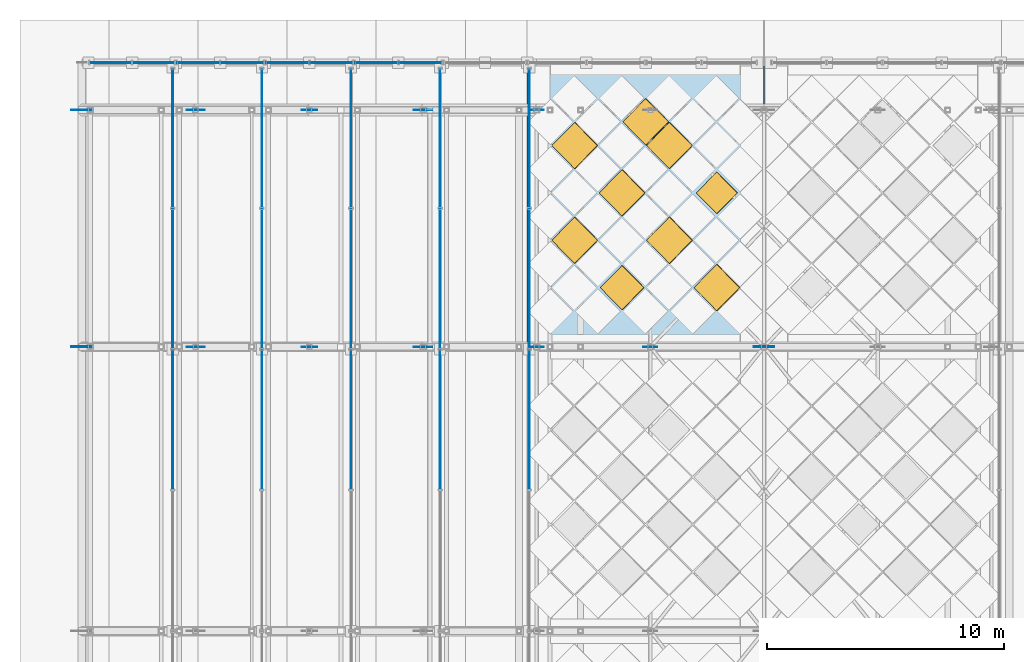
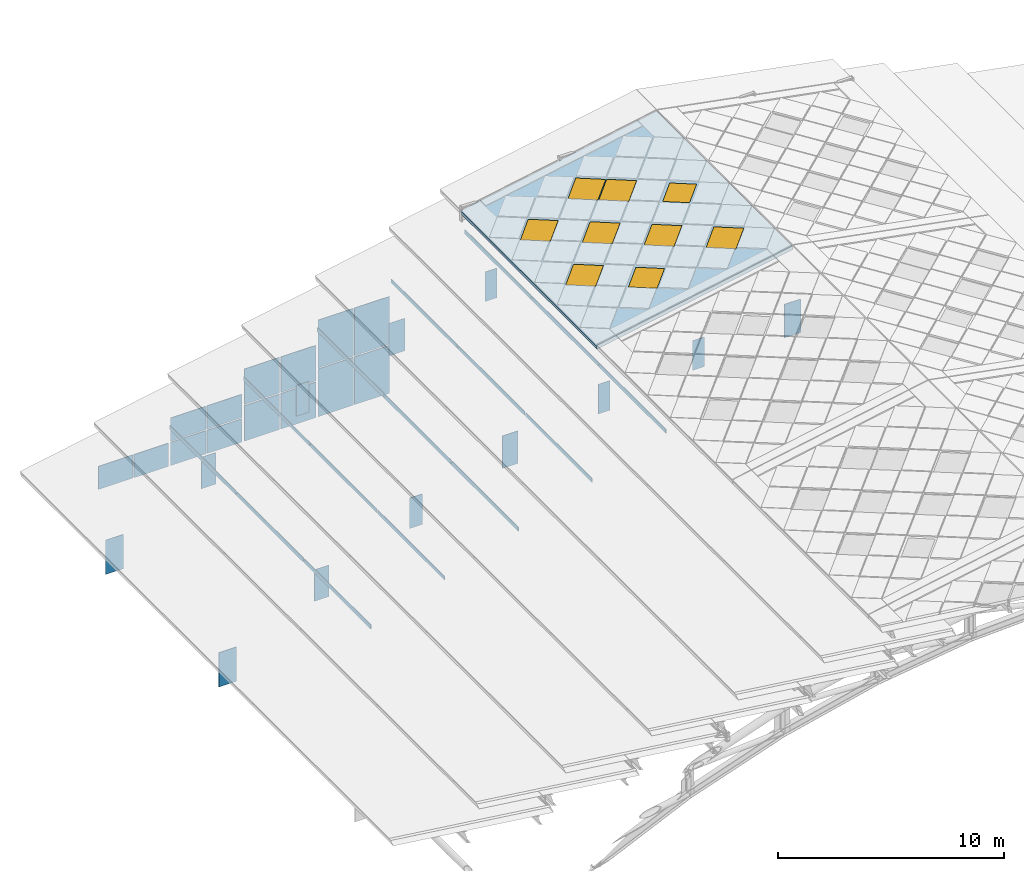
# One storey, part 97 of 117: 41 plates, 9 windows, 1 slab, 9 openings, 9 elements without a shape of their own.
"""IFC4 building model written with IfcOpenShell, lengths in metres."""

from ifc_helpers import new_model, si_unit, direction, frame, origin, origin_2d, place, context, subcontext, project, spatial, polyline, rectangle, outline, extrude, material, layer, layer_set, type_object, element, fill, aggregate, save


model = new_model("IFC4")

# Units and contexts
model_context = context("Model", 3, precision=1e-05, world=origin(), true_north=direction((0.0, 1.0)))
body_context = subcontext(model_context, "Body", "Model", "MODEL_VIEW")
ifc_project = project(units=[si_unit("LENGTHUNIT", "METRE"), si_unit("AREAUNIT", "SQUARE_METRE"), si_unit("VOLUMEUNIT", "CUBIC_METRE"), si_unit("PLANEANGLEUNIT", "RADIAN"), si_unit("MASSUNIT", "GRAM", prefix="KILO")], contexts=[model_context])

# Site, building, storey
site_placement = place(None, origin())
site = spatial("IfcSite", under=ifc_project, at=site_placement, CompositionType="ELEMENT")
building_placement = place(site_placement, origin())
building = spatial("IfcBuilding", under=site, at=building_placement, Name="Merenkruunu Market Hall", CompositionType="ELEMENT")
storey_placement = place(building_placement, frame((0.0, 0.0, 22.800048828125)))
storey = spatial("IfcBuildingStorey", under=building, at=storey_placement, Name="RF", CompositionType="ELEMENT", Elevation=22.800048828125)

# Curtain wall, plates
ifc_material_1 = material(Name="Powder-coated aluminium", Category="aluminium")
curtain_wall_type_1 = type_object("IfcCurtainWallType", Name="Clerestory Curtain Band CL03", PredefinedType="USERDEFINED", material=ifc_material_1)
curtain_wall_1_placement = place(storey_placement, origin())
curtain_wall_1 = element("IfcCurtainWall", 1, at=curtain_wall_1_placement, inside=storey, type_object=curtain_wall_type_1, Name="CW-RF-CWM03-067", ObjectType="CLERESTORY_BAND", PredefinedType="USERDEFINED")
ifc_material_2 = material(Name="Triple low-E insulated glass", Category="glass")
ifc_layer_1 = layer(ifc_material_2, 0.035888671875)
ifc_layer_set_1 = layer_set([ifc_layer_1], Name="Triple low-E insulated glass")
plate_type_1 = type_object("IfcPlateType", Name="Curtain Wall Glazing Panel CWP05", PredefinedType="CURTAIN_PANEL", material=ifc_layer_set_1)
plate_1_placement = place(storey_placement, frame((1.215087890625, 111.60009765625, -8.630126953125), z_axis=(0.0, 0.0, 1.0), x_axis=(1.0, 0.0, 0.0)))
plate_1 = element("IfcPlate", 2, at=plate_1_placement, type_object=plate_type_1, Name="CL03 panel 1.1", PredefinedType="CURTAIN_PANEL", context=body_context, shape_type="SweptSolid", body=[
    extrude(rectangle(XDim=1.75, YDim=0.035888671875, at=origin_2d()), origin(), (0.0, 0.0, 1.0), 1.25),
])
plate_2_placement = place(storey_placement, frame((3.02490234375, 111.60009765625, -8.630126953125), z_axis=(0.0, 0.0, 1.0), x_axis=(1.0, 0.0, 0.0)))
plate_2 = element("IfcPlate", 3, at=plate_2_placement, type_object=plate_type_1, Name="CL03 panel 2.1", PredefinedType="CURTAIN_PANEL", context=body_context, shape_type="SweptSolid", body=[
    extrude(rectangle(XDim=1.75, YDim=0.035888671875, at=origin_2d()), origin(), (0.0, 0.0, 1.0), 1.25),
])
aggregate(curtain_wall_1, [plate_1, plate_2])

curtain_wall_type_2 = type_object("IfcCurtainWallType", Name="Glazed Curtain Wall CW17", PredefinedType="USERDEFINED", material=ifc_material_1)
curtain_wall_2_placement = place(storey_placement, origin())
curtain_wall_2 = element("IfcCurtainWall", 4, at=curtain_wall_2_placement, inside=storey, type_object=curtain_wall_type_2, Name="CW-RF-CWM03-068", ObjectType="GLAZED_FACADE", PredefinedType="USERDEFINED")
plate_3_placement = place(storey_placement, frame((4.9150390625, 111.60009765625, -8.6298828125), z_axis=(0.0, 0.0, 1.0), x_axis=(1.0, 0.0, 0.0)))
plate_3 = element("IfcPlate", 5, at=plate_3_placement, type_object=plate_type_1, Name="CW17 panel 1.1", PredefinedType="CURTAIN_PANEL", context=body_context, shape_type="SweptSolid", body=[
    extrude(rectangle(XDim=1.7900390625, YDim=0.035888671875, at=origin_2d()), origin(), (0.0, 0.0, 1.0), 1.2548828125),
])
plate_4_placement = place(storey_placement, frame((4.9150390625, 111.60009765625, -7.31494140625), z_axis=(0.0, 0.0, 1.0), x_axis=(1.0, 0.0, 0.0)))
plate_4 = element("IfcPlate", 6, at=plate_4_placement, type_object=plate_type_1, Name="CW17 panel 1.2", PredefinedType="CURTAIN_PANEL", context=body_context, shape_type="SweptSolid", body=[
    extrude(rectangle(XDim=1.7900390625, YDim=0.035888671875, at=origin_2d()), origin(), (0.0, 0.0, 1.0), 1.2548828125),
])
plate_5_placement = place(storey_placement, frame((6.764892578125, 111.60009765625, -8.6298828125), z_axis=(0.0, 0.0, 1.0), x_axis=(1.0, 0.0, 0.0)))
plate_5 = element("IfcPlate", 7, at=plate_5_placement, type_object=plate_type_1, Name="CW17 panel 2.1", PredefinedType="CURTAIN_PANEL", context=body_context, shape_type="SweptSolid", body=[
    extrude(rectangle(XDim=1.7900390625, YDim=0.035888671875, at=origin_2d()), origin(), (0.0, 0.0, 1.0), 1.2548828125),
])
plate_6_placement = place(storey_placement, frame((6.764892578125, 111.60009765625, -7.31494140625), z_axis=(0.0, 0.0, 1.0), x_axis=(1.0, 0.0, 0.0)))
plate_6 = element("IfcPlate", 8, at=plate_6_placement, type_object=plate_type_1, Name="CW17 panel 2.2", PredefinedType="CURTAIN_PANEL", context=body_context, shape_type="SweptSolid", body=[
    extrude(rectangle(XDim=1.7900390625, YDim=0.035888671875, at=origin_2d()), origin(), (0.0, 0.0, 1.0), 1.2548828125),
])
aggregate(curtain_wall_2, [plate_3, plate_4, plate_5, plate_6])

curtain_wall_3_placement = place(storey_placement, origin())
curtain_wall_3 = element("IfcCurtainWall", 9, at=curtain_wall_3_placement, inside=storey, type_object=curtain_wall_type_2, Name="CW-RF-CWM03-069", ObjectType="GLAZED_FACADE", PredefinedType="USERDEFINED")
plate_7_placement = place(storey_placement, frame((8.675048828125, 111.60009765625, -8.630126953125), z_axis=(0.0, 0.0, 1.0), x_axis=(1.0, 0.0, 0.0)))
plate_7 = element("IfcPlate", 10, at=plate_7_placement, type_object=plate_type_1, Name="CW17 panel 1.1", PredefinedType="CURTAIN_PANEL", context=body_context, shape_type="SweptSolid", body=[
    extrude(rectangle(XDim=1.7900390625, YDim=0.035888671875, at=origin_2d()), origin(), (0.0, 0.0, 1.0), 1.9150390625),
])
plate_8_placement = place(storey_placement, frame((8.675048828125, 111.60009765625, -6.655029296875), z_axis=(0.0, 0.0, 1.0), x_axis=(1.0, 0.0, 0.0)))
plate_8 = element("IfcPlate", 11, at=plate_8_placement, type_object=plate_type_1, Name="CW17 panel 1.2", PredefinedType="CURTAIN_PANEL", context=body_context, shape_type="SweptSolid", body=[
    extrude(rectangle(XDim=1.7900390625, YDim=0.035888671875, at=origin_2d()), origin(), (0.0, 0.0, 1.0), 1.9150390625),
])
plate_9_placement = place(storey_placement, frame((10.52490234375, 111.60009765625, -8.630126953125), z_axis=(0.0, 0.0, 1.0), x_axis=(1.0, 0.0, 0.0)))
plate_9 = element("IfcPlate", 12, at=plate_9_placement, type_object=plate_type_1, Name="CW17 panel 2.1", PredefinedType="CURTAIN_PANEL", context=body_context, shape_type="SweptSolid", body=[
    extrude(rectangle(XDim=1.7900390625, YDim=0.035888671875, at=origin_2d()), origin(), (0.0, 0.0, 1.0), 1.9150390625),
])
plate_10_placement = place(storey_placement, frame((10.52490234375, 111.60009765625, -6.655029296875), z_axis=(0.0, 0.0, 1.0), x_axis=(1.0, 0.0, 0.0)))
plate_10 = element("IfcPlate", 13, at=plate_10_placement, type_object=plate_type_1, Name="CW17 panel 2.2", PredefinedType="CURTAIN_PANEL", context=body_context, shape_type="SweptSolid", body=[
    extrude(rectangle(XDim=1.7900390625, YDim=0.035888671875, at=origin_2d()), origin(), (0.0, 0.0, 1.0), 1.9150390625),
])
aggregate(curtain_wall_3, [plate_7, plate_8, plate_9, plate_10])

curtain_wall_4_placement = place(storey_placement, origin())
curtain_wall_4 = element("IfcCurtainWall", 14, at=curtain_wall_4_placement, inside=storey, type_object=curtain_wall_type_2, Name="CW-RF-CWM03-070", ObjectType="GLAZED_FACADE", PredefinedType="USERDEFINED")
plate_11_placement = place(storey_placement, frame((12.43505859375, 111.60009765625, -8.6298828125), z_axis=(0.0, 0.0, 1.0), x_axis=(1.0, 0.0, 0.0)))
plate_11 = element("IfcPlate", 15, at=plate_11_placement, type_object=plate_type_1, Name="CW17 panel 1.1", PredefinedType="CURTAIN_PANEL", context=body_context, shape_type="SweptSolid", body=[
    extrude(rectangle(XDim=1.7900390625, YDim=0.035888671875, at=origin_2d()), origin(), (0.0, 0.0, 1.0), 2.574951171875),
])
plate_12_placement = place(storey_placement, frame((12.43505859375, 111.60009765625, -5.9951171875), z_axis=(0.0, 0.0, 1.0), x_axis=(1.0, 0.0, 0.0)))
plate_12 = element("IfcPlate", 16, at=plate_12_placement, type_object=plate_type_1, Name="CW17 panel 1.2", PredefinedType="CURTAIN_PANEL", context=body_context, shape_type="SweptSolid", body=[
    extrude(rectangle(XDim=1.7900390625, YDim=0.035888671875, at=origin_2d()), origin(), (0.0, 0.0, 1.0), 2.574951171875),
])
plate_13_placement = place(storey_placement, frame((14.284912109375, 111.60009765625, -8.6298828125), z_axis=(0.0, 0.0, 1.0), x_axis=(1.0, 0.0, 0.0)))
plate_13 = element("IfcPlate", 17, at=plate_13_placement, type_object=plate_type_1, Name="CW17 panel 2.1", PredefinedType="CURTAIN_PANEL", context=body_context, shape_type="SweptSolid", body=[
    extrude(rectangle(XDim=1.7900390625, YDim=0.035888671875, at=origin_2d()), origin(), (0.0, 0.0, 1.0), 2.574951171875),
])
plate_14_placement = place(storey_placement, frame((14.284912109375, 111.60009765625, -5.9951171875), z_axis=(0.0, 0.0, 1.0), x_axis=(1.0, 0.0, 0.0)))
plate_14 = element("IfcPlate", 18, at=plate_14_placement, type_object=plate_type_1, Name="CW17 panel 2.2", PredefinedType="CURTAIN_PANEL", context=body_context, shape_type="SweptSolid", body=[
    extrude(rectangle(XDim=1.7900390625, YDim=0.035888671875, at=origin_2d()), origin(), (0.0, 0.0, 1.0), 2.574951171875),
])
aggregate(curtain_wall_4, [plate_11, plate_12, plate_13, plate_14])

curtain_wall_type_3 = type_object("IfcCurtainWallType", Name="Clerestory Curtain Band CL05", PredefinedType="USERDEFINED", material=ifc_material_1)
curtain_wall_5_placement = place(storey_placement, origin())
curtain_wall_5 = element("IfcCurtainWall", 19, at=curtain_wall_5_placement, inside=storey, type_object=curtain_wall_type_3, Name="CW-RF-CWM04-087", ObjectType="CLERESTORY_BAND", PredefinedType="USERDEFINED")
ifc_layer_2 = layer(ifc_material_2, 0.035888671875)
ifc_layer_set_2 = layer_set([ifc_layer_2], Name="Triple low-E insulated glass")
plate_type_2 = type_object("IfcPlateType", Name="Curtain Wall Glazing Panel CWP08", PredefinedType="CURTAIN_PANEL", material=ifc_layer_set_2)
plate_15_placement = place(storey_placement, frame((3.840087890625, 96.52490234375, -6.462158203125), z_axis=(0.0, 0.0, 1.0), x_axis=(0.0, 1.0, 0.0)))
plate_15 = element("IfcPlate", 20, at=plate_15_placement, type_object=plate_type_2, Name="CL05 panel 2.1", PredefinedType="CURTAIN_PANEL", context=body_context, shape_type="SweptSolid", body=[
    extrude(rectangle(XDim=5.8798828125, YDim=0.035888671875, at=origin_2d()), origin(), (0.0, 0.0, 1.0), 0.22802734375),
])
plate_16_placement = place(storey_placement, frame((3.840087890625, 102.47509765625, -6.462158203125), z_axis=(0.0, 0.0, 1.0), x_axis=(0.0, 1.0, 0.0)))
plate_16 = element("IfcPlate", 21, at=plate_16_placement, type_object=plate_type_2, Name="CL05 panel 3.1", PredefinedType="CURTAIN_PANEL", context=body_context, shape_type="SweptSolid", body=[
    extrude(rectangle(XDim=5.8798828125, YDim=0.035888671875, at=origin_2d()), origin(), (0.0, 0.0, 1.0), 0.22802734375),
])
plate_17_placement = place(storey_placement, frame((3.840087890625, 108.407470703125, -6.462158203125), z_axis=(0.0, 0.0, 1.0), x_axis=(0.0, 1.0, 0.0)))
plate_17 = element("IfcPlate", 22, at=plate_17_placement, type_object=plate_type_2, Name="CL05 panel 4.1", PredefinedType="CURTAIN_PANEL", context=body_context, shape_type="SweptSolid", body=[
    extrude(rectangle(XDim=5.844970703125, YDim=0.035888671875, at=origin_2d()), origin(), (0.0, 0.0, 1.0), 0.22802734375),
])
aggregate(curtain_wall_5, [plate_15, plate_16, plate_17])

curtain_wall_6_placement = place(storey_placement, origin())
curtain_wall_6 = element("IfcCurtainWall", 23, at=curtain_wall_6_placement, inside=storey, type_object=curtain_wall_type_3, Name="CW-RF-CWM04-095", ObjectType="CLERESTORY_BAND", PredefinedType="USERDEFINED")
plate_18_placement = place(storey_placement, frame((7.60009765625, 96.52490234375, -5.14208984375), z_axis=(0.0, 0.0, 1.0), x_axis=(0.0, 1.0, 0.0)))
plate_18 = element("IfcPlate", 24, at=plate_18_placement, type_object=plate_type_2, Name="CL05 panel 2.1", PredefinedType="CURTAIN_PANEL", context=body_context, shape_type="SweptSolid", body=[
    extrude(rectangle(XDim=5.8798828125, YDim=0.035888671875, at=origin_2d()), origin(), (0.0, 0.0, 1.0), 0.20703125),
])
plate_19_placement = place(storey_placement, frame((7.60009765625, 102.47509765625, -5.14208984375), z_axis=(0.0, 0.0, 1.0), x_axis=(0.0, 1.0, 0.0)))
plate_19 = element("IfcPlate", 25, at=plate_19_placement, type_object=plate_type_2, Name="CL05 panel 3.1", PredefinedType="CURTAIN_PANEL", context=body_context, shape_type="SweptSolid", body=[
    extrude(rectangle(XDim=5.8798828125, YDim=0.035888671875, at=origin_2d()), origin(), (0.0, 0.0, 1.0), 0.20703125),
])
plate_20_placement = place(storey_placement, frame((7.60009765625, 108.407470703125, -5.14208984375), z_axis=(0.0, 0.0, 1.0), x_axis=(0.0, 1.0, 0.0)))
plate_20 = element("IfcPlate", 26, at=plate_20_placement, type_object=plate_type_2, Name="CL05 panel 4.1", PredefinedType="CURTAIN_PANEL", context=body_context, shape_type="SweptSolid", body=[
    extrude(rectangle(XDim=5.844970703125, YDim=0.035888671875, at=origin_2d()), origin(), (0.0, 0.0, 1.0), 0.20703125),
])
aggregate(curtain_wall_6, [plate_18, plate_19, plate_20])

curtain_wall_7_placement = place(storey_placement, origin())
curtain_wall_7 = element("IfcCurtainWall", 27, at=curtain_wall_7_placement, inside=storey, type_object=curtain_wall_type_3, Name="CW-RF-CWM04-103", ObjectType="CLERESTORY_BAND", PredefinedType="USERDEFINED")
plate_21_placement = place(storey_placement, frame((11.360107421875, 96.52490234375, -3.822021484375), z_axis=(0.0, 0.0, 1.0), x_axis=(0.0, 1.0, 0.0)))
plate_21 = element("IfcPlate", 28, at=plate_21_placement, type_object=plate_type_2, Name="CL05 panel 2.1", PredefinedType="CURTAIN_PANEL", context=body_context, shape_type="SweptSolid", body=[
    extrude(rectangle(XDim=5.8798828125, YDim=0.035888671875, at=origin_2d()), origin(), (0.0, 0.0, 1.0), 0.22802734375),
])
plate_22_placement = place(storey_placement, frame((11.360107421875, 102.47509765625, -3.822021484375), z_axis=(0.0, 0.0, 1.0), x_axis=(0.0, 1.0, 0.0)))
plate_22 = element("IfcPlate", 29, at=plate_22_placement, type_object=plate_type_2, Name="CL05 panel 3.1", PredefinedType="CURTAIN_PANEL", context=body_context, shape_type="SweptSolid", body=[
    extrude(rectangle(XDim=5.8798828125, YDim=0.035888671875, at=origin_2d()), origin(), (0.0, 0.0, 1.0), 0.22802734375),
])
plate_23_placement = place(storey_placement, frame((11.360107421875, 108.407470703125, -3.822021484375), z_axis=(0.0, 0.0, 1.0), x_axis=(0.0, 1.0, 0.0)))
plate_23 = element("IfcPlate", 30, at=plate_23_placement, type_object=plate_type_2, Name="CL05 panel 4.1", PredefinedType="CURTAIN_PANEL", context=body_context, shape_type="SweptSolid", body=[
    extrude(rectangle(XDim=5.844970703125, YDim=0.035888671875, at=origin_2d()), origin(), (0.0, 0.0, 1.0), 0.22802734375),
])
aggregate(curtain_wall_7, [plate_21, plate_22, plate_23])

curtain_wall_8_placement = place(storey_placement, origin())
curtain_wall_8 = element("IfcCurtainWall", 31, at=curtain_wall_8_placement, inside=storey, type_object=curtain_wall_type_3, Name="CW-RF-CWM04-111", ObjectType="CLERESTORY_BAND", PredefinedType="USERDEFINED")
plate_24_placement = place(storey_placement, frame((15.1201171875, 96.52490234375, -2.501953125), z_axis=(0.0, 0.0, 1.0), x_axis=(0.0, 1.0, 0.0)))
plate_24 = element("IfcPlate", 32, at=plate_24_placement, type_object=plate_type_2, Name="CL05 panel 2.1", PredefinedType="CURTAIN_PANEL", context=body_context, shape_type="SweptSolid", body=[
    extrude(rectangle(XDim=5.8798828125, YDim=0.035888671875, at=origin_2d()), origin(), (0.0, 0.0, 1.0), 0.20703125),
])
plate_25_placement = place(storey_placement, frame((15.1201171875, 102.47509765625, -2.501953125), z_axis=(0.0, 0.0, 1.0), x_axis=(0.0, 1.0, 0.0)))
plate_25 = element("IfcPlate", 33, at=plate_25_placement, type_object=plate_type_2, Name="CL05 panel 3.1", PredefinedType="CURTAIN_PANEL", context=body_context, shape_type="SweptSolid", body=[
    extrude(rectangle(XDim=5.8798828125, YDim=0.035888671875, at=origin_2d()), origin(), (0.0, 0.0, 1.0), 0.20703125),
])
plate_26_placement = place(storey_placement, frame((15.1201171875, 108.407470703125, -2.501953125), z_axis=(0.0, 0.0, 1.0), x_axis=(0.0, 1.0, 0.0)))
plate_26 = element("IfcPlate", 34, at=plate_26_placement, type_object=plate_type_2, Name="CL05 panel 4.1", PredefinedType="CURTAIN_PANEL", context=body_context, shape_type="SweptSolid", body=[
    extrude(rectangle(XDim=5.844970703125, YDim=0.035888671875, at=origin_2d()), origin(), (0.0, 0.0, 1.0), 0.20703125),
])
aggregate(curtain_wall_8, [plate_24, plate_25, plate_26])

curtain_wall_9_placement = place(storey_placement, origin())
curtain_wall_9 = element("IfcCurtainWall", 35, at=curtain_wall_9_placement, inside=storey, type_object=curtain_wall_type_3, Name="CW-RF-CWM04-119", ObjectType="CLERESTORY_BAND", PredefinedType="USERDEFINED")
plate_27_placement = place(storey_placement, frame((18.8798828125, 96.52490234375, -1.18212890625), z_axis=(0.0, 0.0, 1.0), x_axis=(0.0, 1.0, 0.0)))
plate_27 = element("IfcPlate", 36, at=plate_27_placement, type_object=plate_type_2, Name="CL05 panel 2.1", PredefinedType="CURTAIN_PANEL", context=body_context, shape_type="SweptSolid", body=[
    extrude(rectangle(XDim=5.8798828125, YDim=0.035888671875, at=origin_2d()), origin(), (0.0, 0.0, 1.0), 0.22802734375),
])
plate_28_placement = place(storey_placement, frame((18.8798828125, 102.47509765625, -1.18212890625), z_axis=(0.0, 0.0, 1.0), x_axis=(0.0, 1.0, 0.0)))
plate_28 = element("IfcPlate", 37, at=plate_28_placement, type_object=plate_type_2, Name="CL05 panel 3.1", PredefinedType="CURTAIN_PANEL", context=body_context, shape_type="SweptSolid", body=[
    extrude(rectangle(XDim=5.8798828125, YDim=0.035888671875, at=origin_2d()), origin(), (0.0, 0.0, 1.0), 0.22802734375),
])
plate_29_placement = place(storey_placement, frame((18.8798828125, 108.407470703125, -1.18212890625), z_axis=(0.0, 0.0, 1.0), x_axis=(0.0, 1.0, 0.0)))
plate_29 = element("IfcPlate", 38, at=plate_29_placement, type_object=plate_type_2, Name="CL05 panel 4.1", PredefinedType="CURTAIN_PANEL", context=body_context, shape_type="SweptSolid", body=[
    extrude(rectangle(XDim=5.844970703125, YDim=0.035888671875, at=origin_2d()), origin(), (0.0, 0.0, 1.0), 0.22802734375),
])
aggregate(curtain_wall_9, [plate_27, plate_28, plate_29])

# Slab, openings, windows
ifc_material_3 = material(Name="High-albedo white roof Steel S355ML", Category="steel")
ifc_layer_3 = layer(ifc_material_3, 0.199951171875)
ifc_layer_set_3 = layer_set([ifc_layer_3], Name="High-albedo white roof Steel S355ML")
slab_type = type_object("IfcSlabType", Name="Sloped Or Flat Roof Deck RS01", PredefinedType="ROOF", material=ifc_layer_set_3)
slab_placement = place(storey_placement, frame((18.800048828125, 99.60009765625, -0.080078125), z_axis=(-0.184775267092, 0.0, 0.98278079991), x_axis=(0.98278079991, 0.0, 0.184775267092)))
slab = element("IfcSlab", 39, at=slab_placement, inside=storey, type_object=slab_type, Name="SL-ROOF-V1-CROWN-W-08", PredefinedType="ROOF", context=body_context, shape_type="SweptSolid", body=[
    extrude(outline(polyline([(0.0, 0.0), (10.175208959027184, 0.0), (10.175208959027184, 12.0), (0.0, 12.0), (0.0, 0.0)])), origin(), (0.0, 0.0, -1.0), 0.199951171875),
])
opening_1_placement = place(slab_placement, frame((8.14013671875, 2.5, 0.0), z_axis=(0.0, 0.0, 1.0), x_axis=(0.707106781187, 0.707106781187, 0.0)))
opening_1 = element("IfcOpeningElement", 40, at=opening_1_placement, cuts=slab, Name="Opening SK01", PredefinedType="OPENING", context=body_context, shape_type="SweptSolid", body=[
    extrude(rectangle(XDim=1.3798828125, YDim=1.3798828125, at=origin_2d()), frame((0.0, 0.0, 0.014892578125), z_axis=(0.0, 0.0, -1.0), x_axis=(1.0, 0.0, 0.0)), (0.0, 0.0, 1.0), 0.229736328125),
])
opening_2_placement = place(slab_placement, frame((8.14013671875, 6.5, 0.0), z_axis=(0.0, 0.0, 1.0), x_axis=(0.707106781187, 0.707106781187, 0.0)))
opening_2 = element("IfcOpeningElement", 41, at=opening_2_placement, cuts=slab, Name="Opening SK03", PredefinedType="OPENING", context=body_context, shape_type="SweptSolid", body=[
    extrude(rectangle(XDim=1.239990234375, YDim=1.239990234375, at=origin_2d()), frame((0.0, 0.0, 0.014892578125), z_axis=(0.0, 0.0, -1.0), x_axis=(1.0, 0.0, 0.0)), (0.0, 0.0, 1.0), 0.229736328125),
])
opening_3_placement = place(slab_placement, frame((6.10498046875, 4.5, -0.000244140625), z_axis=(0.0, 0.0, 1.0), x_axis=(0.707106781187, 0.707106781187, 0.0)))
opening_3 = element("IfcOpeningElement", 42, at=opening_3_placement, cuts=slab, Name="Opening SK01", PredefinedType="OPENING", context=body_context, shape_type="SweptSolid", body=[
    extrude(rectangle(XDim=1.3798828125, YDim=1.3798828125, at=origin_2d()), frame((0.0, 0.0, 0.014892578125), z_axis=(0.0, 0.0, -1.0), x_axis=(1.0, 0.0, 0.0)), (0.0, 0.0, 1.0), 0.229736328125),
])
opening_4_placement = place(slab_placement, frame((6.10498046875, 8.5, -0.000244140625), z_axis=(0.0, 0.0, 1.0), x_axis=(0.707106781187, 0.707106781187, 0.0)))
opening_4 = element("IfcOpeningElement", 43, at=opening_4_placement, cuts=slab, Name="Opening SK01", PredefinedType="OPENING", context=body_context, shape_type="SweptSolid", body=[
    extrude(rectangle(XDim=1.3798828125, YDim=1.3798828125, at=origin_2d()), frame((0.0, 0.0, 0.014892578125), z_axis=(0.0, 0.0, -1.0), x_axis=(1.0, 0.0, 0.0)), (0.0, 0.0, 1.0), 0.229736328125),
])
opening_5_placement = place(slab_placement, frame((5.087646484375, 9.5, 0.0), z_axis=(0.0, 0.0, 1.0), x_axis=(0.707106781187, 0.707106781187, 0.0)))
opening_5 = element("IfcOpeningElement", 44, at=opening_5_placement, cuts=slab, Name="Opening SK01", PredefinedType="OPENING", context=body_context, shape_type="SweptSolid", body=[
    extrude(rectangle(XDim=1.3798828125, YDim=1.3798828125, at=origin_2d()), frame((0.0, 0.0, 0.014892578125), z_axis=(0.0, 0.0, -1.0), x_axis=(1.0, 0.0, 0.0)), (0.0, 0.0, 1.0), 0.229736328125),
])
opening_6_placement = place(slab_placement, frame((4.070068359375, 2.5, 0.0), z_axis=(0.0, 0.0, 1.0), x_axis=(0.707106781187, 0.707106781187, 0.0)))
opening_6 = element("IfcOpeningElement", 45, at=opening_6_placement, cuts=slab, Name="Opening SK02", PredefinedType="OPENING", context=body_context, shape_type="SweptSolid", body=[
    extrude(rectangle(XDim=1.320068359375, YDim=1.320068359375, at=origin_2d()), frame((0.0, 0.0, 0.014892578125), z_axis=(0.0, 0.0, -1.0), x_axis=(1.0, 0.0, 0.0)), (0.0, 0.0, 1.0), 0.229736328125),
])
opening_7_placement = place(slab_placement, frame((4.070068359375, 6.5, 0.0), z_axis=(0.0, 0.0, 1.0), x_axis=(0.707106781187, 0.707106781187, 0.0)))
opening_7 = element("IfcOpeningElement", 46, at=opening_7_placement, cuts=slab, Name="Opening SK01", PredefinedType="OPENING", context=body_context, shape_type="SweptSolid", body=[
    extrude(rectangle(XDim=1.3798828125, YDim=1.3798828125, at=origin_2d()), frame((0.0, 0.0, 0.014892578125), z_axis=(0.0, 0.0, -1.0), x_axis=(1.0, 0.0, 0.0)), (0.0, 0.0, 1.0), 0.229736328125),
])
opening_8_placement = place(slab_placement, frame((2.034912109375, 4.5, 0.0), z_axis=(0.0, 0.0, 1.0), x_axis=(0.707106781187, 0.707106781187, 0.0)))
opening_8 = element("IfcOpeningElement", 47, at=opening_8_placement, cuts=slab, Name="Opening SK01", PredefinedType="OPENING", context=body_context, shape_type="SweptSolid", body=[
    extrude(rectangle(XDim=1.3798828125, YDim=1.3798828125, at=origin_2d()), frame((0.0, 0.0, 0.014892578125), z_axis=(0.0, 0.0, -1.0), x_axis=(1.0, 0.0, 0.0)), (0.0, 0.0, 1.0), 0.229736328125),
])
opening_9_placement = place(slab_placement, frame((2.034912109375, 8.5, 0.0), z_axis=(0.0, 0.0, 1.0), x_axis=(0.707106781187, 0.707106781187, 0.0)))
opening_9 = element("IfcOpeningElement", 48, at=opening_9_placement, cuts=slab, Name="Opening SK01", PredefinedType="OPENING", context=body_context, shape_type="SweptSolid", body=[
    extrude(rectangle(XDim=1.3798828125, YDim=1.3798828125, at=origin_2d()), frame((0.0, 0.0, 0.014892578125), z_axis=(0.0, 0.0, -1.0), x_axis=(1.0, 0.0, 0.0)), (0.0, 0.0, 1.0), 0.229736328125),
])
ifc_material_4 = material(Name="Diamond skylight blue triple glass", Category="glass")
ifc_layer_4 = layer(ifc_material_4, 0.094970703125)
ifc_layer_set_4 = layer_set([ifc_layer_4], Name="Diamond skylight blue triple glass")
window_type_1 = type_object("IfcWindowType", Name="Diamond Roof Skylight SK01", PartitioningType="SINGLE_PANEL", PredefinedType="SKYLIGHT", material=ifc_layer_set_4)
window_1_placement = place(opening_1_placement, origin())
window_1 = element("IfcWindow", 49, at=window_1_placement, inside=storey, type_object=window_type_1, Name="SKY-CROWN-127", OverallHeight=1.3798828125, OverallWidth=1.3798828125, PartitioningType="SINGLE_PANEL", PredefinedType="SKYLIGHT", context=body_context, shape_type="SweptSolid", body=[
    extrude(rectangle(XDim=1.3798828125, YDim=1.3798828125, at=origin_2d()), frame((0.0, 0.0, 0.0), z_axis=(0.0, 0.0, -1.0), x_axis=(1.0, 0.0, 0.0)), (0.0, 0.0, 1.0), 0.094970703125),
])
fill(opening_1, window_1)
window_2_placement = place(opening_3_placement, origin())
window_2 = element("IfcWindow", 50, at=window_2_placement, inside=storey, type_object=window_type_1, Name="SKY-CROWN-129", OverallHeight=1.3798828125, OverallWidth=1.3798828125, PartitioningType="SINGLE_PANEL", PredefinedType="SKYLIGHT", context=body_context, shape_type="SweptSolid", body=[
    extrude(rectangle(XDim=1.3798828125, YDim=1.3798828125, at=origin_2d()), frame((0.0, 0.0, 0.0), z_axis=(0.0, 0.0, -1.0), x_axis=(1.0, 0.0, 0.0)), (0.0, 0.0, 1.0), 0.094970703125),
])
fill(opening_3, window_2)
window_3_placement = place(opening_4_placement, origin())
window_3 = element("IfcWindow", 51, at=window_3_placement, inside=storey, type_object=window_type_1, Name="SKY-CROWN-130", OverallHeight=1.3798828125, OverallWidth=1.3798828125, PartitioningType="SINGLE_PANEL", PredefinedType="SKYLIGHT", context=body_context, shape_type="SweptSolid", body=[
    extrude(rectangle(XDim=1.3798828125, YDim=1.3798828125, at=origin_2d()), frame((0.0, 0.0, 0.0), z_axis=(0.0, 0.0, -1.0), x_axis=(1.0, 0.0, 0.0)), (0.0, 0.0, 1.0), 0.094970703125),
])
fill(opening_4, window_3)
window_4_placement = place(opening_5_placement, origin())
window_4 = element("IfcWindow", 52, at=window_4_placement, inside=storey, type_object=window_type_1, Name="SKY-CROWN-131", OverallHeight=1.3798828125, OverallWidth=1.3798828125, PartitioningType="SINGLE_PANEL", PredefinedType="SKYLIGHT", context=body_context, shape_type="SweptSolid", body=[
    extrude(rectangle(XDim=1.3798828125, YDim=1.3798828125, at=origin_2d()), frame((0.0, 0.0, 0.0), z_axis=(0.0, 0.0, -1.0), x_axis=(1.0, 0.0, 0.0)), (0.0, 0.0, 1.0), 0.094970703125),
])
fill(opening_5, window_4)
window_5_placement = place(opening_7_placement, origin())
window_5 = element("IfcWindow", 53, at=window_5_placement, inside=storey, type_object=window_type_1, Name="SKY-CROWN-133", OverallHeight=1.3798828125, OverallWidth=1.3798828125, PartitioningType="SINGLE_PANEL", PredefinedType="SKYLIGHT", context=body_context, shape_type="SweptSolid", body=[
    extrude(rectangle(XDim=1.3798828125, YDim=1.3798828125, at=origin_2d()), frame((0.0, 0.0, 0.0), z_axis=(0.0, 0.0, -1.0), x_axis=(1.0, 0.0, 0.0)), (0.0, 0.0, 1.0), 0.094970703125),
])
fill(opening_7, window_5)
window_6_placement = place(opening_8_placement, origin())
window_6 = element("IfcWindow", 54, at=window_6_placement, inside=storey, type_object=window_type_1, Name="SKY-CROWN-134", OverallHeight=1.3798828125, OverallWidth=1.3798828125, PartitioningType="SINGLE_PANEL", PredefinedType="SKYLIGHT", context=body_context, shape_type="SweptSolid", body=[
    extrude(rectangle(XDim=1.3798828125, YDim=1.3798828125, at=origin_2d()), frame((0.0, 0.0, 0.0), z_axis=(0.0, 0.0, -1.0), x_axis=(1.0, 0.0, 0.0)), (0.0, 0.0, 1.0), 0.094970703125),
])
fill(opening_8, window_6)
window_7_placement = place(opening_9_placement, origin())
window_7 = element("IfcWindow", 55, at=window_7_placement, inside=storey, type_object=window_type_1, Name="SKY-CROWN-135", OverallHeight=1.3798828125, OverallWidth=1.3798828125, PartitioningType="SINGLE_PANEL", PredefinedType="SKYLIGHT", context=body_context, shape_type="SweptSolid", body=[
    extrude(rectangle(XDim=1.3798828125, YDim=1.3798828125, at=origin_2d()), frame((0.0, 0.0, 0.0), z_axis=(0.0, 0.0, -1.0), x_axis=(1.0, 0.0, 0.0)), (0.0, 0.0, 1.0), 0.094970703125),
])
fill(opening_9, window_7)
ifc_layer_5 = layer(ifc_material_4, 0.094970703125)
ifc_layer_set_5 = layer_set([ifc_layer_5], Name="Diamond skylight blue triple glass")
window_type_2 = type_object("IfcWindowType", Name="Diamond Roof Skylight SK02", PartitioningType="SINGLE_PANEL", PredefinedType="SKYLIGHT", material=ifc_layer_set_5)
window_8_placement = place(opening_6_placement, origin())
window_8 = element("IfcWindow", 56, at=window_8_placement, inside=storey, type_object=window_type_2, Name="SKY-CROWN-132", OverallHeight=1.320068359375, OverallWidth=1.320068359375, PartitioningType="SINGLE_PANEL", PredefinedType="SKYLIGHT", context=body_context, shape_type="SweptSolid", body=[
    extrude(rectangle(XDim=1.320068359375, YDim=1.320068359375, at=origin_2d()), frame((0.0, 0.0, 0.0), z_axis=(0.0, 0.0, -1.0), x_axis=(1.0, 0.0, 0.0)), (0.0, 0.0, 1.0), 0.094970703125),
])
fill(opening_6, window_8)
ifc_layer_6 = layer(ifc_material_4, 0.094970703125)
ifc_layer_set_6 = layer_set([ifc_layer_6], Name="Diamond skylight blue triple glass")
window_type_3 = type_object("IfcWindowType", Name="Roof Smoke Vent Skylight SK03", PartitioningType="SINGLE_PANEL", PredefinedType="SKYLIGHT", material=ifc_layer_set_6)
window_9_placement = place(opening_2_placement, origin())
window_9 = element("IfcWindow", 57, at=window_9_placement, inside=storey, type_object=window_type_3, Name="SKY-CROWN-128", OverallHeight=1.239990234375, OverallWidth=1.239990234375, PartitioningType="SINGLE_PANEL", PredefinedType="SKYLIGHT", context=body_context, shape_type="SweptSolid", body=[
    extrude(rectangle(XDim=1.239990234375, YDim=1.239990234375, at=origin_2d()), frame((0.0, 0.0, 0.0), z_axis=(0.0, 0.0, -1.0), x_axis=(1.0, 0.0, 0.0)), (0.0, 0.0, 1.0), 0.094970703125),
])
fill(opening_2, window_9)

# Plates
ifc_material_5 = material(Name="Steel S355ML", Category="steel")
ifc_layer_7 = layer(ifc_material_5, 0.030029296875)
ifc_layer_set_7 = layer_set([ifc_layer_7], Name="Steel S355ML")
plate_type_3 = type_object("IfcPlateType", Name="Truss Gusset Or Cap Plate TN01", PredefinedType="USERDEFINED", material=ifc_layer_set_7)
for number, where, z_axis, x_axis, name in (
    (58, (0.0, 99.60009765625, -11.72509765625), (0.0, 0.0, 1.0), (1.0, 0.0, 0.0), "PLT-AT-8-NODE-00"),
    (59, (0.0, 109.60009765625, -11.72509765625), (0.0, 0.0, 1.0), (1.0, 0.0, 0.0), "PLT-AT-G-NODE-00"),
):
    element("IfcPlate", number, at=place(storey_placement, frame(where, z_axis=z_axis, x_axis=x_axis)), inside=storey, type_object=plate_type_3, Name=name, ObjectType="GUSSET_PLATE", PredefinedType="USERDEFINED", context=body_context, shape_type="SweptSolid", body=[
        extrude(rectangle(XDim=0.89990234375, YDim=0.030029296875, at=origin_2d()), origin(), (0.0, 0.0, 1.0), 1.85009765625),
    ])
ifc_layer_8 = layer(ifc_material_5, 0.02490234375)
ifc_layer_set_8 = layer_set([ifc_layer_8], Name="Steel S355ML")
plate_type_4 = type_object("IfcPlateType", Name="Truss Gusset Or Cap Plate TN02", PredefinedType="USERDEFINED", material=ifc_layer_set_8)
for number, where, z_axis, x_axis, name in (
    (60, (4.800048828125, 99.60009765625, -8.81591796875), (0.0, 0.0, 1.0), (1.0, 0.0, 0.0), "PLT-AT-8-NODE-01"),
    (61, (4.800048828125, 109.60009765625, -8.81591796875), (0.0, 0.0, 1.0), (1.0, 0.0, 0.0), "PLT-AT-G-NODE-01"),
):
    element("IfcPlate", number, at=place(storey_placement, frame(where, z_axis=z_axis, x_axis=x_axis)), inside=storey, type_object=plate_type_4, Name=name, ObjectType="GUSSET_PLATE", PredefinedType="USERDEFINED", context=body_context, shape_type="SweptSolid", body=[
        extrude(rectangle(XDim=0.75, YDim=0.02490234375, at=origin_2d()), origin(), (0.0, 0.0, 1.0), 1.699951171875),
    ])
ifc_layer_9 = layer(ifc_material_5, 0.02490234375)
ifc_layer_set_9 = layer_set([ifc_layer_9], Name="Steel S355ML")
plate_type_5 = type_object("IfcPlateType", Name="Truss Gusset Or Cap Plate TN03", PredefinedType="USERDEFINED", material=ifc_layer_set_9)
for number, where, z_axis, x_axis, name in (
    (62, (9.60009765625, 99.60009765625, -6.595947265625), (0.0, 0.0, 1.0), (1.0, 0.0, 0.0), "PLT-AT-8-NODE-02"),
    (63, (9.60009765625, 109.60009765625, -6.595947265625), (0.0, 0.0, 1.0), (1.0, 0.0, 0.0), "PLT-AT-G-NODE-02"),
):
    element("IfcPlate", number, at=place(storey_placement, frame(where, z_axis=z_axis, x_axis=x_axis)), inside=storey, type_object=plate_type_5, Name=name, ObjectType="GUSSET_PLATE", PredefinedType="USERDEFINED", context=body_context, shape_type="SweptSolid", body=[
        extrude(rectangle(XDim=0.64990234375, YDim=0.02490234375, at=origin_2d()), origin(), (0.0, 0.0, 1.0), 1.64990234375),
    ])
ifc_layer_10 = layer(ifc_material_5, 0.028076171875)
ifc_layer_set_10 = layer_set([ifc_layer_10], Name="Steel S355ML")
plate_type_6 = type_object("IfcPlateType", Name="Truss Gusset Or Cap Plate TN04", PredefinedType="USERDEFINED", material=ifc_layer_set_10)
for number, where, z_axis, x_axis, name in (
    (64, (14.39990234375, 99.60009765625, -5.005126953125), (0.0, 0.0, 1.0), (1.0, 0.0, 0.0), "PLT-AT-8-NODE-03"),
    (65, (14.39990234375, 109.60009765625, -5.005126953125), (0.0, 0.0, 1.0), (1.0, 0.0, 0.0), "PLT-AT-G-NODE-03"),
):
    element("IfcPlate", number, at=place(storey_placement, frame(where, z_axis=z_axis, x_axis=x_axis)), inside=storey, type_object=plate_type_6, Name=name, ObjectType="GUSSET_PLATE", PredefinedType="USERDEFINED", context=body_context, shape_type="SweptSolid", body=[
        extrude(rectangle(XDim=0.800048828125, YDim=0.028076171875, at=origin_2d()), origin(), (0.0, 0.0, 1.0), 1.75),
    ])
ifc_layer_11 = layer(ifc_material_5, 0.02197265625)
ifc_layer_set_11 = layer_set([ifc_layer_11], Name="Steel S355ML")
plate_type_7 = type_object("IfcPlateType", Name="Truss Gusset Or Cap Plate TN05", PredefinedType="USERDEFINED", material=ifc_layer_set_11)
for number, where, z_axis, x_axis, name in (
    (66, (19.199951171875, 99.60009765625, -3.7900390625), (0.0, 0.0, 1.0), (1.0, 0.0, 0.0), "PLT-AT-8-NODE-04"),
    (67, (24.0, 99.60009765625, -3.1181640625), (0.0, 0.0, 1.0), (1.0, 0.0, 0.0), "PLT-AT-8-NODE-05"),
    (68, (19.199951171875, 109.60009765625, -3.7900390625), (0.0, 0.0, 1.0), (1.0, 0.0, 0.0), "PLT-AT-G-NODE-04"),
):
    element("IfcPlate", number, at=place(storey_placement, frame(where, z_axis=z_axis, x_axis=x_axis)), inside=storey, type_object=plate_type_7, Name=name, ObjectType="GUSSET_PLATE", PredefinedType="USERDEFINED", context=body_context, shape_type="SweptSolid", body=[
        extrude(rectangle(XDim=0.60009765625, YDim=0.02197265625, at=origin_2d()), origin(), (0.0, 0.0, 1.0), 1.60009765625),
    ])
ifc_layer_12 = layer(ifc_material_5, 0.031982421875)
ifc_layer_set_12 = layer_set([ifc_layer_12], Name="Steel S355ML")
plate_type_8 = type_object("IfcPlateType", Name="Truss Gusset Or Cap Plate TN06", PredefinedType="USERDEFINED", material=ifc_layer_set_12)
plate_30_placement = place(storey_placement, frame((28.800048828125, 99.60009765625, -2.99609375), z_axis=(0.0, 0.0, 1.0), x_axis=(1.0, 0.0, 0.0)))
element("IfcPlate", 69, at=plate_30_placement, inside=storey, type_object=plate_type_8, Name="PLT-AT-8-NODE-06", ObjectType="GUSSET_PLATE", PredefinedType="USERDEFINED", context=body_context, shape_type="SweptSolid", body=[
    extrude(rectangle(XDim=0.85009765625, YDim=0.031982421875, at=origin_2d()), origin(), (0.0, 0.0, 1.0), 1.800048828125),
])

save(model, "model.ifc")
